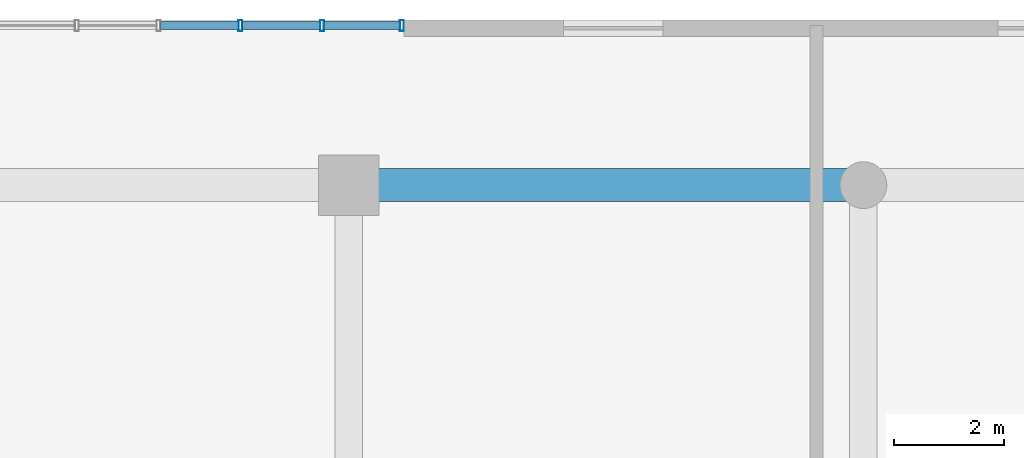
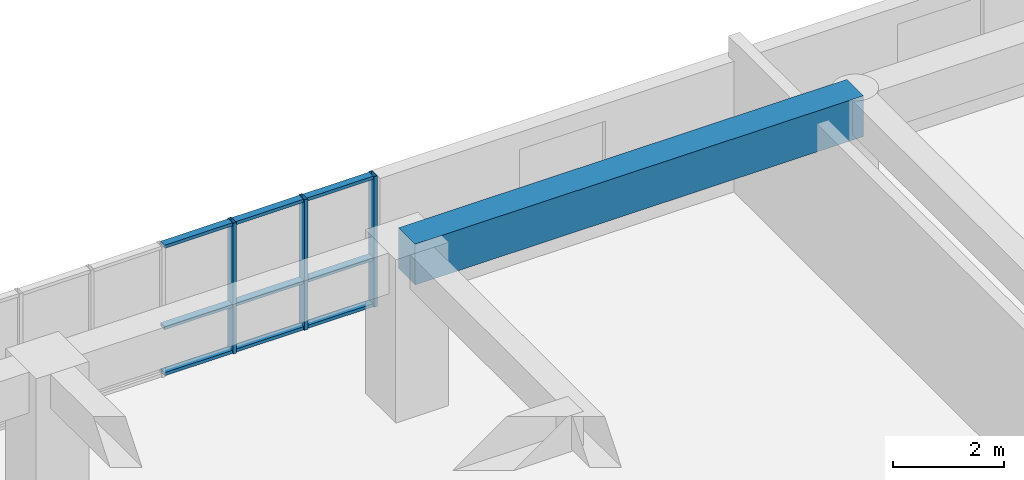
# One storey, part 15 of 30: 12 members, 1 beam, 1 element without a shape of its own.
"""IFC4 building model written with IfcOpenShell, lengths in metres."""

from ifc_helpers import new_model, si_unit, direction, frame, origin, origin_2d, place, context, subcontext, project, spatial, rectangle, hollow_rectangle, extrude, source, transform, mapped, material, layer, layer_set, material_profile, profile_set, type_object, element, aggregate, save


model = new_model("IFC4")

# Units and contexts
model_context = context("Model", 3, precision=1e-05, world=origin(), true_north=direction((0.0, 1.0)))
body_context = subcontext(model_context, "Body", "Model", "MODEL_VIEW")
ifc_project = project(units=[si_unit("LENGTHUNIT", "METRE"), si_unit("AREAUNIT", "SQUARE_METRE"), si_unit("VOLUMEUNIT", "CUBIC_METRE"), si_unit("PLANEANGLEUNIT", "RADIAN"), si_unit("MASSUNIT", "GRAM", prefix="KILO")], contexts=[model_context])

# Site, building, storey
site_placement = place(None, origin())
site = spatial("IfcSite", under=ifc_project, at=site_placement, CompositionType="ELEMENT")
building_placement = place(site_placement, origin())
building = spatial("IfcBuilding", under=site, at=building_placement, Name="Saelheon Loggia Tower", CompositionType="ELEMENT")
storey_placement = place(building_placement, frame((0.0, 0.0, 7.800048828125)))
storey = spatial("IfcBuildingStorey", under=building, at=storey_placement, Name="L02", CompositionType="ELEMENT", Elevation=7.800048828125)

# Beam
ifc_material_1 = material(Name="Concrete C50/60", Category="concrete")
ifc_material_profile_1 = material_profile(ifc_material_1, rectangle(XDim=0.60009765625, YDim=0.89990234375, at=origin_2d()), Name="RC-600x900")
ifc_profile_set_1 = profile_set([ifc_material_profile_1], Name="Concrete C50/60")
beam_type = type_object("IfcBeamType", Name="Beam_MainGirder_RC600x900", PredefinedType="BEAM", material=ifc_profile_set_1)
shared_shape_1 = source(origin(), body_context, "Body", "SweptSolid", [
    extrude(rectangle(XDim=0.60009765625, YDim=0.89990234375, at=origin_2d()), origin(), (0.0, 0.0, 1.0), 9.35009765625),
])
beam_placement = place(storey_placement, frame((59.0, 51.0, 3.14990234375), z_axis=(1.0, 0.0, 0.0), x_axis=(0.0, 1.0, 0.0)))
element("IfcBeam", 1, at=beam_placement, inside=storey, type_object=beam_type, Name="BM-L02-EW-51-9", PredefinedType="BEAM", context=body_context, shape_type="MappedRepresentation", body=[
    mapped(shared_shape_1, transform((0.0, 0.0, 0.0), scale=1.0)),
])

# Curtain wall, members
ifc_material_2 = material(Name="Aluminium 6063-T6 and Low-E IGU", Category="aluminium")
ifc_layer = layer(ifc_material_2, 0.179931640625)
ifc_layer_set = layer_set([ifc_layer], Name="Aluminium 6063-T6 and Low-E IGU")
curtain_wall_type = type_object("IfcCurtainWallType", Name="CW_PodiumClinic", PredefinedType="NOTDEFINED", material=ifc_layer_set)
curtain_wall_placement = place(storey_placement, origin())
curtain_wall = element("IfcCurtainWall", 2, at=curtain_wall_placement, inside=storey, type_object=curtain_wall_type, Name="L02 North Clinic Curtain Wall 3", PredefinedType="NOTDEFINED")
ifc_material_3 = material(Name="Anodised Aluminium 6063-T6", Category="aluminium")
ifc_material_profile_2 = material_profile(ifc_material_3, hollow_rectangle(XDim=0.070068359375, YDim=0.14990234375, WallThickness=0.0048828125, at=origin_2d()), Name="RHS-150x70x5")
ifc_profile_set_2 = profile_set([ifc_material_profile_2], Name="Anodised Aluminium 6063-T6")
member_type_1 = type_object("IfcMemberType", Name="CW_PodiumClinic_Transom", PredefinedType="USERDEFINED", material=ifc_profile_set_2)
shared_shape_2 = source(origin(), body_context, "Body", "SweptSolid", [
    extrude(hollow_rectangle(XDim=0.070068359375, YDim=0.14990234375, WallThickness=0.0048828125, at=origin_2d()), origin(), (0.0, 0.0, 1.0), 1.3798828125),
])
member_1_placement = place(storey_placement, frame((58.550048828125, 53.89990234375, 0.034912109375), z_axis=(1.0, 0.0, 0.0), x_axis=(0.0, 0.0, 1.0)))
member_1 = element("IfcMember", 3, at=member_1_placement, type_object=member_type_1, Name="CW1 transom 10.1", ObjectType="TRANSOM", PredefinedType="USERDEFINED", context=body_context, shape_type="MappedRepresentation", body=[
    mapped(shared_shape_2, transform((0.0, 0.0, 0.0), scale=1.0)),
])
member_2_placement = place(storey_placement, frame((58.550048828125, 53.89990234375, 1.050048828125), z_axis=(1.0, 0.0, 0.0), x_axis=(0.0, 0.0, 1.0)))
member_2 = element("IfcMember", 4, at=member_2_placement, type_object=member_type_1, Name="CW1 transom 10.2", ObjectType="TRANSOM", PredefinedType="USERDEFINED", context=body_context, shape_type="MappedRepresentation", body=[
    mapped(shared_shape_2, transform((0.0, 0.0, 0.0), scale=1.0)),
])
member_3_placement = place(storey_placement, frame((58.550048828125, 53.89990234375, 2.844970703125), z_axis=(1.0, 0.0, 0.0), x_axis=(0.0, 0.0, 1.0)))
member_3 = element("IfcMember", 5, at=member_3_placement, type_object=member_type_1, Name="CW1 transom 10.3", ObjectType="TRANSOM", PredefinedType="USERDEFINED", context=body_context, shape_type="MappedRepresentation", body=[
    mapped(shared_shape_2, transform((0.0, 0.0, 0.0), scale=1.0)),
])
shared_shape_3 = source(origin(), body_context, "Body", "SweptSolid", [
    extrude(hollow_rectangle(XDim=0.070068359375, YDim=0.14990234375, WallThickness=0.0048828125, at=origin_2d()), origin(), (0.0, 0.0, 1.0), 1.4150390625),
])
member_4_placement = place(storey_placement, frame((55.580078125, 53.89990234375, 0.034912109375), z_axis=(1.0, 0.0, 0.0), x_axis=(0.0, 0.0, 1.0)))
member_4 = element("IfcMember", 6, at=member_4_placement, type_object=member_type_1, Name="CW1 transom 8.1", ObjectType="TRANSOM", PredefinedType="USERDEFINED", context=body_context, shape_type="MappedRepresentation", body=[
    mapped(shared_shape_3, transform((0.0, 0.0, 0.0), scale=1.0)),
])
member_5_placement = place(storey_placement, frame((55.580078125, 53.89990234375, 1.050048828125), z_axis=(1.0, 0.0, 0.0), x_axis=(0.0, 0.0, 1.0)))
member_5 = element("IfcMember", 7, at=member_5_placement, type_object=member_type_1, Name="CW1 transom 8.2", ObjectType="TRANSOM", PredefinedType="USERDEFINED", context=body_context, shape_type="MappedRepresentation", body=[
    mapped(shared_shape_3, transform((0.0, 0.0, 0.0), scale=1.0)),
])
member_6_placement = place(storey_placement, frame((55.580078125, 53.89990234375, 2.844970703125), z_axis=(1.0, 0.0, 0.0), x_axis=(0.0, 0.0, 1.0)))
member_6 = element("IfcMember", 8, at=member_6_placement, type_object=member_type_1, Name="CW1 transom 8.3", ObjectType="TRANSOM", PredefinedType="USERDEFINED", context=body_context, shape_type="MappedRepresentation", body=[
    mapped(shared_shape_3, transform((0.0, 0.0, 0.0), scale=1.0)),
])
member_7_placement = place(storey_placement, frame((57.06494140625, 53.89990234375, 0.034912109375), z_axis=(1.0, 0.0, 0.0), x_axis=(0.0, 0.0, 1.0)))
member_7 = element("IfcMember", 9, at=member_7_placement, type_object=member_type_1, Name="CW1 transom 9.1", ObjectType="TRANSOM", PredefinedType="USERDEFINED", context=body_context, shape_type="MappedRepresentation", body=[
    mapped(shared_shape_3, transform((0.0, 0.0, 0.0), scale=1.0)),
])
member_8_placement = place(storey_placement, frame((57.06494140625, 53.89990234375, 1.050048828125), z_axis=(1.0, 0.0, 0.0), x_axis=(0.0, 0.0, 1.0)))
member_8 = element("IfcMember", 10, at=member_8_placement, type_object=member_type_1, Name="CW1 transom 9.2", ObjectType="TRANSOM", PredefinedType="USERDEFINED", context=body_context, shape_type="MappedRepresentation", body=[
    mapped(shared_shape_3, transform((0.0, 0.0, 0.0), scale=1.0)),
])
member_9_placement = place(storey_placement, frame((57.06494140625, 53.89990234375, 2.844970703125), z_axis=(1.0, 0.0, 0.0), x_axis=(0.0, 0.0, 1.0)))
member_9 = element("IfcMember", 11, at=member_9_placement, type_object=member_type_1, Name="CW1 transom 9.3", ObjectType="TRANSOM", PredefinedType="USERDEFINED", context=body_context, shape_type="MappedRepresentation", body=[
    mapped(shared_shape_3, transform((0.0, 0.0, 0.0), scale=1.0)),
])
ifc_material_profile_3 = material_profile(ifc_material_3, hollow_rectangle(XDim=0.070068359375, YDim=0.199951171875, WallThickness=0.0048828125, at=origin_2d()), Name="RHS-200x70x5")
ifc_profile_set_3 = profile_set([ifc_material_profile_3], Name="Anodised Aluminium 6063-T6")
member_type_2 = type_object("IfcMemberType", Name="CW_PodiumClinic_Mullion", PredefinedType="MULLION", material=ifc_profile_set_3)
shared_shape_4 = source(origin(), body_context, "Body", "SweptSolid", [
    extrude(hollow_rectangle(XDim=0.070068359375, YDim=0.199951171875, WallThickness=0.0048828125, at=origin_2d()), origin(), (0.0, 0.0, 1.0), 2.8798828125),
])
member_10_placement = place(storey_placement, frame((57.030029296875, 53.89990234375, 0.0), z_axis=(0.0, 0.0, 1.0), x_axis=(1.0, 0.0, 0.0)))
member_10 = element("IfcMember", 12, at=member_10_placement, type_object=member_type_2, Name="CW1 mullion 9", PredefinedType="MULLION", context=body_context, shape_type="MappedRepresentation", body=[
    mapped(shared_shape_4, transform((0.0, 0.0, 0.0), scale=1.0)),
])
member_11_placement = place(storey_placement, frame((58.514892578125, 53.89990234375, 0.0), z_axis=(0.0, 0.0, 1.0), x_axis=(1.0, 0.0, 0.0)))
member_11 = element("IfcMember", 13, at=member_11_placement, type_object=member_type_2, Name="CW1 mullion 10", PredefinedType="MULLION", context=body_context, shape_type="MappedRepresentation", body=[
    mapped(shared_shape_4, transform((0.0, 0.0, 0.0), scale=1.0)),
])
member_12_placement = place(storey_placement, frame((59.965087890625, 53.89990234375, 0.0), z_axis=(0.0, 0.0, 1.0), x_axis=(1.0, 0.0, 0.0)))
member_12 = element("IfcMember", 14, at=member_12_placement, type_object=member_type_2, Name="CW1 mullion 11", PredefinedType="MULLION", context=body_context, shape_type="MappedRepresentation", body=[
    mapped(shared_shape_4, transform((0.0, 0.0, 0.0), scale=1.0)),
])
aggregate(curtain_wall, [member_10, member_11, member_12, member_4, member_5, member_6, member_7, member_8, member_9, member_1, member_2, member_3])

save(model, "model.ifc")
